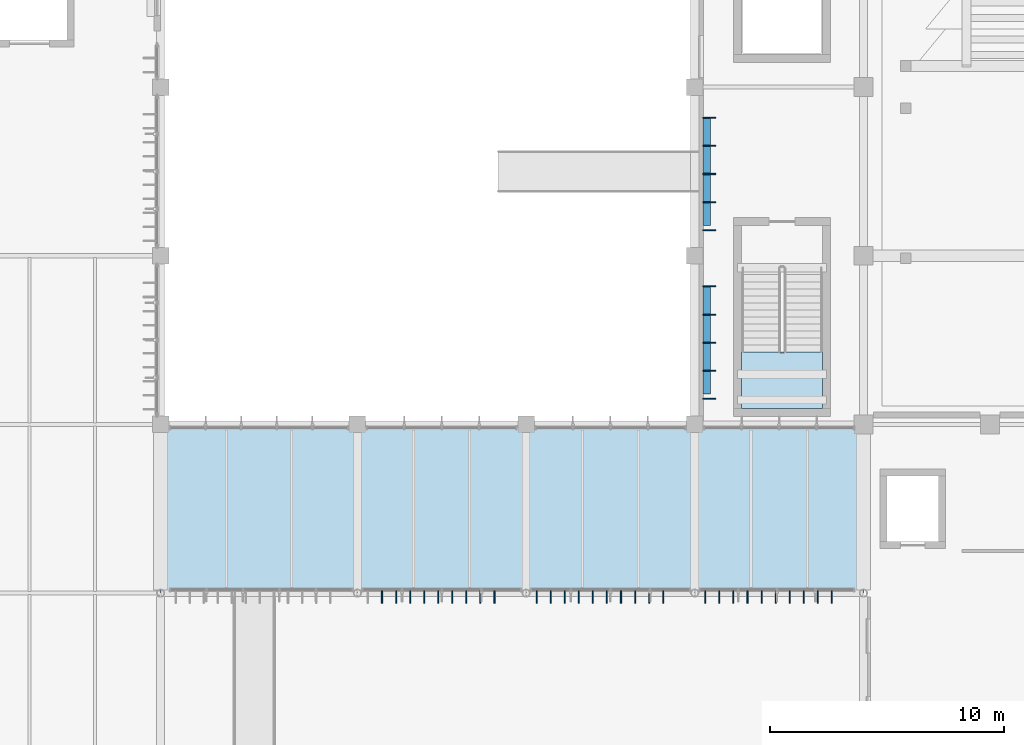
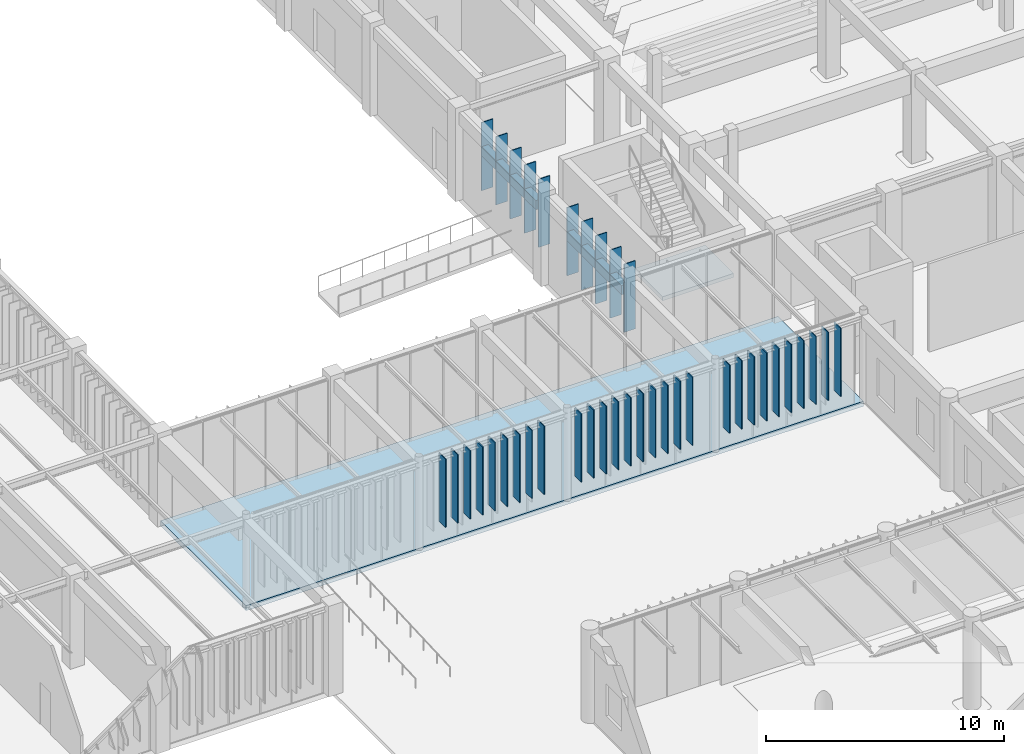
# One storey, part 17 of 122: 41 plates, 2 slabs, 1 element without a shape of its own.
"""IFC4 building model written with IfcOpenShell, lengths in metres."""

import ifcopenshell
import ifcopenshell.guid

model = None  # the IFC model being written
_history = None  # IfcOwnerHistory: only IFC2X3 demands one
_inside = {}  # id of a spatial element -> (the spatial element, [elements in it])
_under = {}  # id of a project, library or spatial element -> (it, [spatial elements below it])
_declared = {}  # id of a project -> (the project, [libraries it declares])
_typed = {}  # id of a type object -> (the type object, [elements of that type])
_made_of = {}  # id of a material, layer set ... -> (it, [elements and type objects made of it])


def new_model(schema):
    """Start an empty IFC model of exactly this schema.

    Asked for "IFC4X3", IfcOpenShell would pick the latest addendum, in which some entities
    have other attributes; the version numbers below select the first issue.
    IFC2X3 requires an IfcOwnerHistory on every rooted entity: one is made here for all.
    """
    global model, _history
    if schema == "IFC4X3":
        model = ifcopenshell.file(schema_version=(4, 3, 0, 0))
    else:
        model = ifcopenshell.file(schema=schema)
    _inside.clear()
    _under.clear()
    _declared.clear()
    _typed.clear()
    _made_of.clear()
    _history = None
    if model.schema == "IFC2X3":
        org = make("IfcOrganization", Name="unknown")
        user = make(
            "IfcPersonAndOrganization",
            ThePerson=make("IfcPerson", FamilyName="unknown"),
            TheOrganization=org,
        )
        app = make(
            "IfcApplication",
            ApplicationDeveloper=org,
            Version="unknown",
            ApplicationFullName="unknown",
            ApplicationIdentifier="unknown",
        )
        _history = make(
            "IfcOwnerHistory",
            OwningUser=user,
            OwningApplication=app,
            ChangeAction="ADDED",
            CreationDate=0,
        )
    return model


def make(cls, **values):
    """One entity of the class cls with the attributes given. An attribute that is None is left unset."""
    return model.create_entity(
        cls, **{name: value for name, value in values.items() if value is not None}
    )


def rooted(cls, **values):
    """An entity with a GlobalId (a new one), such as an element, a storey or a relation."""
    return make(cls, GlobalId=ifcopenshell.guid.new(), OwnerHistory=_history, **values)


def si_unit(unit_type, name, prefix=None):
    """IfcSIUnit, for example si_unit("LENGTHUNIT", "METRE", prefix="MILLI")."""
    return make("IfcSIUnit", UnitType=unit_type, Prefix=prefix, Name=name)


def assignment(units):
    """IfcUnitAssignment: the units of a project."""
    return None if units is None else make("IfcUnitAssignment", Units=units)


def point(xyz):
    """IfcCartesianPoint."""
    return None if xyz is None else make("IfcCartesianPoint", Coordinates=xyz)


def direction(xyz):
    """IfcDirection."""
    return None if xyz is None else make("IfcDirection", DirectionRatios=xyz)


def frame(location, z_axis=None, x_axis=None):
    """IfcAxis2Placement3D, a coordinate frame: its origin and axes. An axis left out is left unset."""
    return make(
        "IfcAxis2Placement3D",
        Location=point(location),
        Axis=direction(z_axis),
        RefDirection=direction(x_axis),
    )


def frame_2d(location, x_axis=None):
    """IfcAxis2Placement2D, a coordinate frame in the plane: its origin and x axis."""
    return make(
        "IfcAxis2Placement2D", Location=point(location), RefDirection=direction(x_axis)
    )


def origin():
    """The frame at (0, 0, 0) with its axes left unset."""
    return frame((0.0, 0.0, 0.0))


def origin_2d():
    """The frame at (0, 0) in the plane with its x axis left unset."""
    return frame_2d((0.0, 0.0))


def place(relative_to, where):
    """IfcLocalPlacement: puts the frame where relative to a parent placement (None: the world)."""
    return make(
        "IfcLocalPlacement", PlacementRelTo=relative_to, RelativePlacement=where
    )


def context(
    kind, dimensions, precision=None, world=None, true_north=None, identifier=None
):
    """IfcGeometricRepresentationContext, for example the 3D "Model" context."""
    return make(
        "IfcGeometricRepresentationContext",
        ContextIdentifier=identifier,
        ContextType=kind,
        CoordinateSpaceDimension=dimensions,
        Precision=precision,
        WorldCoordinateSystem=world,
        TrueNorth=true_north,
    )


def subcontext(parent, identifier, kind, view, scale=None):
    """IfcGeometricRepresentationSubContext, for example "Body" below "Model"."""
    return make(
        "IfcGeometricRepresentationSubContext",
        ContextIdentifier=identifier,
        ContextType=kind,
        ParentContext=parent,
        TargetScale=scale,
        TargetView=view,
    )


def project(units=None, contexts=None):
    """IfcProject with its units and contexts."""
    return rooted(
        "IfcProject",
        Name="project",
        RepresentationContexts=contexts,
        UnitsInContext=assignment(units),
    )


def spatial(cls, under=None, at=None, **own):
    """A site, building, storey or space (cls), placed at a placement, below another one or the project."""
    s = rooted(cls, ObjectPlacement=at, **own)
    if under is not None:
        _under.setdefault(under.id(), (under, []))[1].append(s)
    return s


def polyline(points):
    """IfcPolyline through the points."""
    return make("IfcPolyline", Points=[point(p) for p in points])


def profile(cls, at=None, kind="AREA", **sizes):
    """A parametric profile (cls). Its sizes go by their IFC names, for example OverallWidth=200.0."""
    return make(cls, ProfileType=kind, Position=at, **sizes)


def rectangle(**sizes):
    """IfcRectangleProfileDef."""
    return profile("IfcRectangleProfileDef", **sizes)


def outline(outer, holes=None, kind="AREA"):
    """IfcArbitraryClosedProfileDef: a profile drawn as a closed curve; with holes, ...WithVoids."""
    if holes is None:
        return make("IfcArbitraryClosedProfileDef", ProfileType=kind, OuterCurve=outer)
    return make(
        "IfcArbitraryProfileDefWithVoids",
        ProfileType=kind,
        OuterCurve=outer,
        InnerCurves=holes,
    )


def extrude(swept, where, along, depth):
    """IfcExtrudedAreaSolid: the profile swept, set in the frame where, extruded along a direction by depth."""
    return make(
        "IfcExtrudedAreaSolid",
        SweptArea=swept,
        Position=where,
        ExtrudedDirection=direction(along),
        Depth=depth,
    )


def shape(context_of_items, identifier, shape_type, items):
    """IfcShapeRepresentation: the items that make up one representation, for example the "Body"."""
    return make(
        "IfcShapeRepresentation",
        ContextOfItems=context_of_items,
        RepresentationIdentifier=identifier,
        RepresentationType=shape_type,
        Items=items,
    )


def material(Name=None, Category=None):
    """IfcMaterial."""
    return make("IfcMaterial", Name=Name, Category=Category)


def layer(
    of_material, thickness, ventilated=None, Name=None, Category=None, Priority=None
):
    """IfcMaterialLayer: one layer of a wall or slab, of a material (None: an air gap)."""
    return make(
        "IfcMaterialLayer",
        Material=of_material,
        LayerThickness=thickness,
        IsVentilated=ventilated,
        Name=Name,
        Category=Category,
        Priority=Priority,
    )


def layer_set(layers, Name=None):
    """IfcMaterialLayerSet."""
    return make("IfcMaterialLayerSet", MaterialLayers=layers, LayerSetName=Name)


def made_of(thing, what):
    """Note that an element or type object is made of a material, layer set ...; save() writes the relation."""
    if what is not None:
        _made_of.setdefault(what.id(), (what, []))[1].append(thing)
    return thing


def type_object(cls, material=None, **own):
    """A type object (cls), such as IfcWallType, which elements share."""
    return made_of(rooted(cls, **own), material)


def element(
    cls,
    number,
    at=None,
    inside=None,
    cuts=None,
    type_object=None,
    material=None,
    context=None,
    identifier="Body",
    shape_type=None,
    held_by="IfcProductDefinitionShape",
    body=None,
    shapes=None,
    **own,
):
    """One element of the class cls, such as IfcWall. Its Tag is "e" and its number.

    at: its placement. inside: the storey or other place that contains it. cuts: it is an
    opening in that element (IfcRelVoidsElement). A single representation is given by context,
    identifier, shape_type and body (its items); several are given by shapes. held_by: the class
    of the entity that holds the representations. save() writes the other relations.
    """
    e = rooted(cls, Tag="e%d" % number, ObjectPlacement=at, **own)
    if body is not None:
        shapes = [shape(context, identifier, shape_type, body)]
    if shapes is not None:
        e.Representation = make(held_by, Representations=shapes)
    if inside is not None:
        _inside.setdefault(inside.id(), (inside, []))[1].append(e)
    if cuts is not None:
        rooted(
            "IfcRelVoidsElement", RelatingBuildingElement=cuts, RelatedOpeningElement=e
        )
    if type_object is not None:
        _typed.setdefault(type_object.id(), (type_object, []))[1].append(e)
    return made_of(e, material)


def aggregate(whole, parts):
    """IfcRelAggregates: a whole, such as a stair, and the parts it consists of."""
    return rooted("IfcRelAggregates", RelatingObject=whole, RelatedObjects=parts)


def save(model, path):
    """Write the relations noted so far, then the file.

    IfcRelAggregates (storeys below a building ...), IfcRelContainedInSpatialStructure (elements
    in a storey), IfcRelDefinesByType, IfcRelAssociatesMaterial and IfcRelDeclares: one each for
    every whole, place, type object, material and project.
    """
    for whole, parts in _under.values():
        aggregate(whole, parts)
    for where, things in _inside.values():
        rooted(
            "IfcRelContainedInSpatialStructure",
            RelatedElements=things,
            RelatingStructure=where,
        )
    for kind, things in _typed.values():
        rooted("IfcRelDefinesByType", RelatedObjects=things, RelatingType=kind)
    for what, things in _made_of.values():
        rooted("IfcRelAssociatesMaterial", RelatedObjects=things, RelatingMaterial=what)
    for by, libraries in _declared.values():
        rooted("IfcRelDeclares", RelatingContext=by, RelatedDefinitions=libraries)
    model.write(path)


model = new_model("IFC4")

# Units and contexts
model_context = context("Model", 3, precision=1e-05, world=origin(), true_north=direction((0.0, 1.0)))
body_context = subcontext(model_context, "Body", "Model", "MODEL_VIEW")
ifc_project = project(units=[si_unit("LENGTHUNIT", "METRE"), si_unit("AREAUNIT", "SQUARE_METRE"), si_unit("VOLUMEUNIT", "CUBIC_METRE"), si_unit("PLANEANGLEUNIT", "RADIAN"), si_unit("MASSUNIT", "GRAM", prefix="KILO")], contexts=[model_context])

# Site, building, storey
site_placement = place(None, origin())
site = spatial("IfcSite", under=ifc_project, at=site_placement, CompositionType="ELEMENT")
building_placement = place(site_placement, origin())
building = spatial("IfcBuilding", under=site, at=building_placement, Name="Tazoul Stagehouse", CompositionType="ELEMENT")
storey_placement = place(building_placement, origin())
storey = spatial("IfcBuildingStorey", under=building, at=storey_placement, Name="L00", CompositionType="ELEMENT", Elevation=0.0)

# Stair, slab
ifc_material_1 = material(Name="Concrete C40/50", Category="concrete")
stair_type = type_object("IfcStairType", Name="Protected Core Dogleg Stair 4200", PredefinedType="HALF_TURN_STAIR", material=ifc_material_1)
stair_placement = place(storey_placement, origin())
stair = element("IfcStair", 1, at=stair_placement, inside=storey, type_object=stair_type, Name="L00 Core Escape Stair ST-05", PredefinedType="HALF_TURN_STAIR")
ifc_layer_1 = layer(ifc_material_1, 0.179931640625, Name="Concrete C40/50")
ifc_layer_set_1 = layer_set([ifc_layer_1], Name="Concrete C40/50")
slab_type_1 = type_object("IfcSlabType", Name="Core Half-Landing Slab 180", PredefinedType="LANDING", material=ifc_layer_set_1)
slab_1_placement = place(storey_placement, frame((0.0, 0.0, 2.199951171875)))
slab_1 = element("IfcSlab", 2, at=slab_1_placement, type_object=slab_type_1, Name="ST-05 landing 1", PredefinedType="LANDING", context=body_context, shape_type="SweptSolid", body=[
    extrude(outline(polyline([(52.39990234375, 54.889892578125), (52.39990234375, 52.489990234375), (55.85009765625, 52.489990234375), (55.85009765625, 54.889892578125), (52.39990234375, 54.889892578125)])), origin(), (0.0, 0.0, 1.0), 0.199951171875),
])
aggregate(stair, [slab_1])

# Slab
ifc_material_2 = material(Name="Concrete C35/45", Category="concrete")
ifc_layer_2 = layer(ifc_material_2, 0.260009765625, Name="Concrete C35/45")
ifc_layer_set_2 = layer_set([ifc_layer_2], Name="Concrete C35/45")
slab_type_2 = type_object("IfcSlabType", Name="Crescent Foyer Slab 260", PredefinedType="FLOOR", material=ifc_layer_set_2)
slab_2_placement = place(storey_placement, frame((0.0, 0.0, -0.260009765625)))
element("IfcSlab", 3, at=slab_2_placement, inside=storey, type_object=slab_type_2, Name="L00 Crescent Foyer Slab 260 (V6)", PredefinedType="FLOOR", context=body_context, shape_type="SweptSolid", body=[
    extrude(outline(polyline([(27.60009765625, 44.60009765625), (27.60009765625, 51.800048828125), (57.60009765625, 51.800048828125), (57.60009765625, 44.60009765625), (27.60009765625, 44.60009765625)])), origin(), (0.0, 0.0, 1.0), 0.260009765625),
])

# Plates
ifc_material_3 = material(Name="Anodised Bronze Aluminium 6063-T6", Category="aluminium")
ifc_layer_3 = layer(ifc_material_3, 0.550048828125, Name="Anodised Bronze Aluminium 6063-T6")
ifc_layer_set_3 = layer_set([ifc_layer_3], Name="Anodised Bronze Aluminium 6063-T6")
plate_type_1 = type_object("IfcPlateType", Name="Parametric Terracotta-Bronze Solar Fin 550x3500", PredefinedType="USERDEFINED", material=ifc_layer_set_3)
for number, where, z_axis, x_axis, name in (
    (4, (37.052001953125, 44.43505859375, 0.989990234375), (0.0, 0.0, 1.0), (1.0, 0.0, 0.0), "L00 Parametric Solar Fin SFN-21 (CW-WLNK-S-L00-B2-02)"),
    (5, (37.652099609375, 44.43505859375, 0.989990234375), (0.0, 0.0, 1.0), (1.0, 0.0, 0.0), "L00 Parametric Solar Fin SFN-21 (CW-WLNK-S-L00-B2-03)"),
    (6, (38.251953125, 44.43505859375, 0.989990234375), (0.0, 0.0, 1.0), (1.0, 0.0, 0.0), "L00 Parametric Solar Fin SFN-21 (CW-WLNK-S-L00-B2-04)"),
    (7, (38.85205078125, 44.43505859375, 0.989990234375), (0.0, 0.0, 1.0), (1.0, 0.0, 0.0), "L00 Parametric Solar Fin SFN-21 (CW-WLNK-S-L00-B2-05)"),
    (8, (39.451904296875, 44.43505859375, 0.989990234375), (0.0, 0.0, 1.0), (1.0, 0.0, 0.0), "L00 Parametric Solar Fin SFN-21 (CW-WLNK-S-L00-B2-06)"),
    (9, (40.052001953125, 44.43505859375, 0.989990234375), (0.0, 0.0, 1.0), (1.0, 0.0, 0.0), "L00 Parametric Solar Fin SFN-21 (CW-WLNK-S-L00-B2-07)"),
    (10, (40.652099609375, 44.43505859375, 0.989990234375), (0.0, 0.0, 1.0), (1.0, 0.0, 0.0), "L00 Parametric Solar Fin SFN-21 (CW-WLNK-S-L00-B2-08)"),
    (11, (41.251953125, 44.43505859375, 0.989990234375), (0.0, 0.0, 1.0), (1.0, 0.0, 0.0), "L00 Parametric Solar Fin SFN-21 (CW-WLNK-S-L00-B2-09)"),
    (12, (41.85205078125, 44.43505859375, 0.989990234375), (0.0, 0.0, 1.0), (1.0, 0.0, 0.0), "L00 Parametric Solar Fin SFN-21 (CW-WLNK-S-L00-B2-10)"),
    (13, (43.652099609375, 44.43505859375, 0.989990234375), (0.0, 0.0, 1.0), (1.0, 0.0, 0.0), "L00 Parametric Solar Fin SFN-21 (CW-WLNK-S-L00-B3-01)"),
    (14, (44.251953125, 44.43505859375, 0.989990234375), (0.0, 0.0, 1.0), (1.0, 0.0, 0.0), "L00 Parametric Solar Fin SFN-21 (CW-WLNK-S-L00-B3-02)"),
    (15, (44.85205078125, 44.43505859375, 0.989990234375), (0.0, 0.0, 1.0), (1.0, 0.0, 0.0), "L00 Parametric Solar Fin SFN-21 (CW-WLNK-S-L00-B3-03)"),
    (16, (45.451904296875, 44.43505859375, 0.989990234375), (0.0, 0.0, 1.0), (1.0, 0.0, 0.0), "L00 Parametric Solar Fin SFN-21 (CW-WLNK-S-L00-B3-04)"),
    (17, (46.052001953125, 44.43505859375, 0.989990234375), (0.0, 0.0, 1.0), (1.0, 0.0, 0.0), "L00 Parametric Solar Fin SFN-21 (CW-WLNK-S-L00-B3-05)"),
    (18, (46.652099609375, 44.43505859375, 0.989990234375), (0.0, 0.0, 1.0), (1.0, 0.0, 0.0), "L00 Parametric Solar Fin SFN-21 (CW-WLNK-S-L00-B3-06)"),
    (19, (47.251953125, 44.43505859375, 0.989990234375), (0.0, 0.0, 1.0), (1.0, 0.0, 0.0), "L00 Parametric Solar Fin SFN-21 (CW-WLNK-S-L00-B3-07)"),
    (20, (47.85205078125, 44.43505859375, 0.989990234375), (0.0, 0.0, 1.0), (1.0, 0.0, 0.0), "L00 Parametric Solar Fin SFN-21 (CW-WLNK-S-L00-B3-08)"),
    (21, (48.451904296875, 44.43505859375, 0.989990234375), (0.0, 0.0, 1.0), (1.0, 0.0, 0.0), "L00 Parametric Solar Fin SFN-21 (CW-WLNK-S-L00-B3-09)"),
    (22, (49.052001953125, 44.43505859375, 0.989990234375), (0.0, 0.0, 1.0), (1.0, 0.0, 0.0), "L00 Parametric Solar Fin SFN-21 (CW-WLNK-S-L00-B3-10)"),
    (23, (50.85205078125, 44.43505859375, 0.989990234375), (0.0, 0.0, 1.0), (1.0, 0.0, 0.0), "L00 Parametric Solar Fin SFN-21 (CW-WLNK-S-L00-B4-01)"),
    (24, (51.451904296875, 44.43505859375, 0.989990234375), (0.0, 0.0, 1.0), (1.0, 0.0, 0.0), "L00 Parametric Solar Fin SFN-21 (CW-WLNK-S-L00-B4-02)"),
    (25, (52.052001953125, 44.43505859375, 0.989990234375), (0.0, 0.0, 1.0), (1.0, 0.0, 0.0), "L00 Parametric Solar Fin SFN-21 (CW-WLNK-S-L00-B4-03)"),
    (26, (52.652099609375, 44.43505859375, 0.989990234375), (0.0, 0.0, 1.0), (1.0, 0.0, 0.0), "L00 Parametric Solar Fin SFN-21 (CW-WLNK-S-L00-B4-04)"),
    (27, (53.251953125, 44.43505859375, 0.989990234375), (0.0, 0.0, 1.0), (1.0, 0.0, 0.0), "L00 Parametric Solar Fin SFN-21 (CW-WLNK-S-L00-B4-05)"),
    (28, (53.85205078125, 44.43505859375, 0.989990234375), (0.0, 0.0, 1.0), (1.0, 0.0, 0.0), "L00 Parametric Solar Fin SFN-21 (CW-WLNK-S-L00-B4-06)"),
    (29, (54.451904296875, 44.43505859375, 0.989990234375), (0.0, 0.0, 1.0), (1.0, 0.0, 0.0), "L00 Parametric Solar Fin SFN-21 (CW-WLNK-S-L00-B4-07)"),
    (30, (55.052001953125, 44.43505859375, 0.989990234375), (0.0, 0.0, 1.0), (1.0, 0.0, 0.0), "L00 Parametric Solar Fin SFN-21 (CW-WLNK-S-L00-B4-08)"),
    (31, (55.652099609375, 44.43505859375, 0.989990234375), (0.0, 0.0, 1.0), (1.0, 0.0, 0.0), "L00 Parametric Solar Fin SFN-21 (CW-WLNK-S-L00-B4-09)"),
    (32, (56.251953125, 44.43505859375, 0.989990234375), (0.0, 0.0, 1.0), (1.0, 0.0, 0.0), "L00 Parametric Solar Fin SFN-21 (CW-WLNK-S-L00-B4-10)"),
    (33, (51.02490234375, 52.889892578125, 0.919921875), (0.0, 0.0, 1.0), (0.0, 1.0, 0.0), "L00 Parametric Solar Fin SFN-21 (WALL-V1-W-L00-S1-B1-01)"),
    (34, (51.02490234375, 54.090087890625, 0.919921875), (0.0, 0.0, 1.0), (0.0, 1.0, 0.0), "L00 Parametric Solar Fin SFN-21 (WALL-V1-W-L00-S1-B1-02)"),
    (35, (51.02490234375, 55.2900390625, 0.919921875), (0.0, 0.0, 1.0), (0.0, 1.0, 0.0), "L00 Parametric Solar Fin SFN-21 (WALL-V1-W-L00-S1-B1-03)"),
    (36, (51.02490234375, 56.489990234375, 0.919921875), (0.0, 0.0, 1.0), (0.0, 1.0, 0.0), "L00 Parametric Solar Fin SFN-21 (WALL-V1-W-L00-S1-B1-04)"),
    (37, (51.02490234375, 57.68994140625, 0.919921875), (0.0, 0.0, 1.0), (0.0, 1.0, 0.0), "L00 Parametric Solar Fin SFN-21 (WALL-V1-W-L00-S1-B1-05)"),
    (38, (51.02490234375, 60.090087890625, 0.919921875), (0.0, 0.0, 1.0), (0.0, 1.0, 0.0), "L00 Parametric Solar Fin SFN-21 (WALL-V1-W-L00-S1-B2-01)"),
    (39, (51.02490234375, 61.2900390625, 0.919921875), (0.0, 0.0, 1.0), (0.0, 1.0, 0.0), "L00 Parametric Solar Fin SFN-21 (WALL-V1-W-L00-S1-B2-02)"),
    (40, (51.02490234375, 62.489990234375, 0.919921875), (0.0, 0.0, 1.0), (0.0, 1.0, 0.0), "L00 Parametric Solar Fin SFN-21 (WALL-V1-W-L00-S1-B2-03)"),
    (41, (51.02490234375, 63.68994140625, 0.919921875), (0.0, 0.0, 1.0), (0.0, 1.0, 0.0), "L00 Parametric Solar Fin SFN-21 (WALL-V1-W-L00-S1-B2-04)"),
    (42, (51.02490234375, 64.889892578125, 0.919921875), (0.0, 0.0, 1.0), (0.0, 1.0, 0.0), "L00 Parametric Solar Fin SFN-21 (WALL-V1-W-L00-S1-B2-05)"),
):
    element("IfcPlate", number, at=place(storey_placement, frame(where, z_axis=z_axis, x_axis=x_axis)), inside=storey, type_object=plate_type_1, Name=name, ObjectType="SOLAR FIN", PredefinedType="USERDEFINED", context=body_context, shape_type="SweptSolid", body=[
        extrude(rectangle(XDim=0.044921875, YDim=0.550048828125, at=origin_2d()), origin(), (0.0, 0.0, 1.0), 3.5),
    ])
ifc_layer_4 = layer(ifc_material_3, 0.320068359375, Name="Anodised Bronze Aluminium 6063-T6")
ifc_layer_set_4 = layer_set([ifc_layer_4], Name="Anodised Bronze Aluminium 6063-T6")
plate_type_2 = type_object("IfcPlateType", Name="Sculpted Facade Spandrel Ribbon 4600x480", PredefinedType="USERDEFINED", material=ifc_layer_set_4)
for number, where, z_axis, x_axis, name in (
    (43, (50.909912109375, 55.39990234375, 2.7109375), (0.0, 0.0, 1.0), (0.0, 1.0, 0.0), "L00 Sculpted Facade Spandrel Ribbon FRB-06 (WALL-V1-W-L00-S1-B1)"),
    (44, (50.909912109375, 62.60009765625, 2.7109375), (0.0, 0.0, 1.0), (0.0, 1.0, 0.0), "L00 Sculpted Facade Spandrel Ribbon FRB-06 (WALL-V1-W-L00-S1-B2)"),
):
    element("IfcPlate", number, at=place(storey_placement, frame(where, z_axis=z_axis, x_axis=x_axis)), inside=storey, type_object=plate_type_2, Name=name, ObjectType="FACADE RIBBON", PredefinedType="USERDEFINED", context=body_context, shape_type="SweptSolid", body=[
        extrude(rectangle(XDim=4.60009765625, YDim=0.320068359375, at=origin_2d()), origin(), (0.0, 0.0, 1.0), 0.47998046875),
    ])

save(model, "model.ifc")
